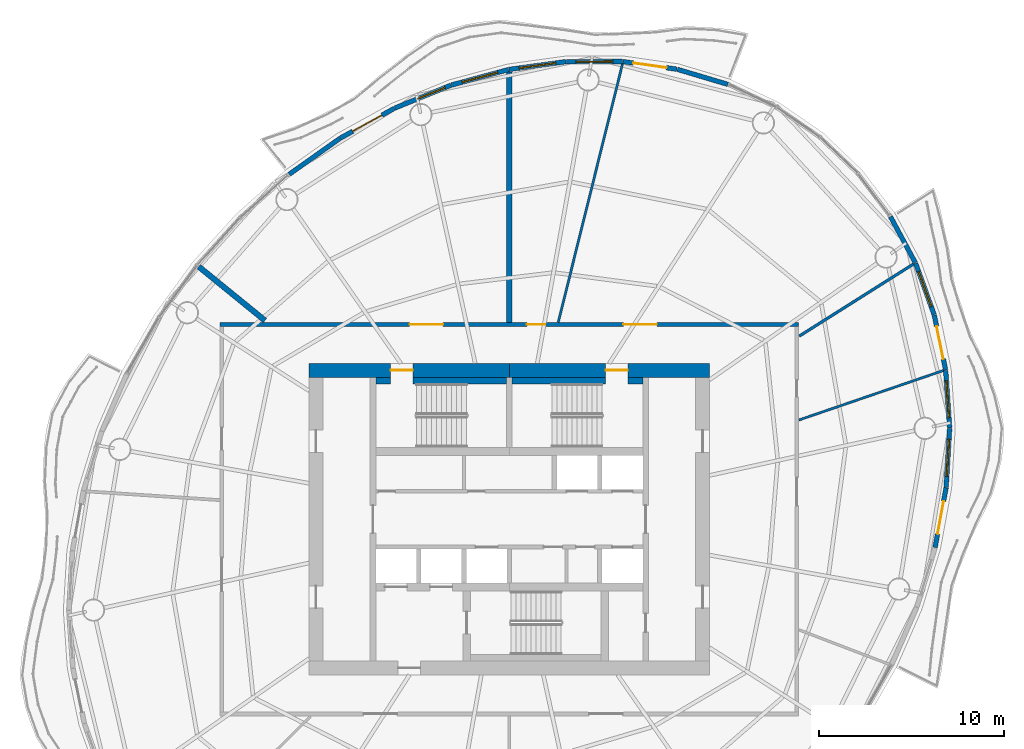
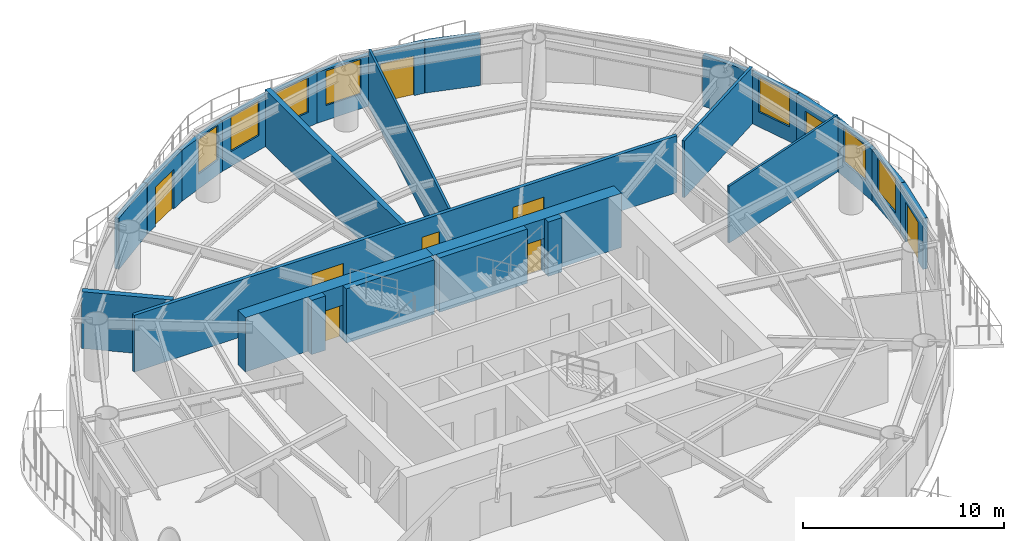
# One storey, part 10 of 14: 26 walls, 9 doors, 7 windows, 16 openings.
"""IFC4 building model written with IfcOpenShell, lengths in metres."""

import ifcopenshell
import ifcopenshell.guid

model = None  # the IFC model being written
_history = None  # IfcOwnerHistory: only IFC2X3 demands one
_inside = {}  # id of a spatial element -> (the spatial element, [elements in it])
_under = {}  # id of a project, library or spatial element -> (it, [spatial elements below it])
_declared = {}  # id of a project -> (the project, [libraries it declares])
_typed = {}  # id of a type object -> (the type object, [elements of that type])
_made_of = {}  # id of a material, layer set ... -> (it, [elements and type objects made of it])


def new_model(schema):
    """Start an empty IFC model of exactly this schema.

    Asked for "IFC4X3", IfcOpenShell would pick the latest addendum, in which some entities
    have other attributes; the version numbers below select the first issue.
    IFC2X3 requires an IfcOwnerHistory on every rooted entity: one is made here for all.
    """
    global model, _history
    if schema == "IFC4X3":
        model = ifcopenshell.file(schema_version=(4, 3, 0, 0))
    else:
        model = ifcopenshell.file(schema=schema)
    _inside.clear()
    _under.clear()
    _declared.clear()
    _typed.clear()
    _made_of.clear()
    _history = None
    if model.schema == "IFC2X3":
        org = make("IfcOrganization", Name="unknown")
        user = make(
            "IfcPersonAndOrganization",
            ThePerson=make("IfcPerson", FamilyName="unknown"),
            TheOrganization=org,
        )
        app = make(
            "IfcApplication",
            ApplicationDeveloper=org,
            Version="unknown",
            ApplicationFullName="unknown",
            ApplicationIdentifier="unknown",
        )
        _history = make(
            "IfcOwnerHistory",
            OwningUser=user,
            OwningApplication=app,
            ChangeAction="ADDED",
            CreationDate=0,
        )
    return model


def make(cls, **values):
    """One entity of the class cls with the attributes given. An attribute that is None is left unset."""
    return model.create_entity(
        cls, **{name: value for name, value in values.items() if value is not None}
    )


def rooted(cls, **values):
    """An entity with a GlobalId (a new one), such as an element, a storey or a relation."""
    return make(cls, GlobalId=ifcopenshell.guid.new(), OwnerHistory=_history, **values)


def si_unit(unit_type, name, prefix=None):
    """IfcSIUnit, for example si_unit("LENGTHUNIT", "METRE", prefix="MILLI")."""
    return make("IfcSIUnit", UnitType=unit_type, Prefix=prefix, Name=name)


def assignment(units):
    """IfcUnitAssignment: the units of a project."""
    return None if units is None else make("IfcUnitAssignment", Units=units)


def point(xyz):
    """IfcCartesianPoint."""
    return None if xyz is None else make("IfcCartesianPoint", Coordinates=xyz)


def direction(xyz):
    """IfcDirection."""
    return None if xyz is None else make("IfcDirection", DirectionRatios=xyz)


def frame(location, z_axis=None, x_axis=None):
    """IfcAxis2Placement3D, a coordinate frame: its origin and axes. An axis left out is left unset."""
    return make(
        "IfcAxis2Placement3D",
        Location=point(location),
        Axis=direction(z_axis),
        RefDirection=direction(x_axis),
    )


def frame_2d(location, x_axis=None):
    """IfcAxis2Placement2D, a coordinate frame in the plane: its origin and x axis."""
    return make(
        "IfcAxis2Placement2D", Location=point(location), RefDirection=direction(x_axis)
    )


def origin():
    """The frame at (0, 0, 0) with its axes left unset."""
    return frame((0.0, 0.0, 0.0))


def place(relative_to, where):
    """IfcLocalPlacement: puts the frame where relative to a parent placement (None: the world)."""
    return make(
        "IfcLocalPlacement", PlacementRelTo=relative_to, RelativePlacement=where
    )


def context(
    kind, dimensions, precision=None, world=None, true_north=None, identifier=None
):
    """IfcGeometricRepresentationContext, for example the 3D "Model" context."""
    return make(
        "IfcGeometricRepresentationContext",
        ContextIdentifier=identifier,
        ContextType=kind,
        CoordinateSpaceDimension=dimensions,
        Precision=precision,
        WorldCoordinateSystem=world,
        TrueNorth=true_north,
    )


def subcontext(parent, identifier, kind, view, scale=None):
    """IfcGeometricRepresentationSubContext, for example "Body" below "Model"."""
    return make(
        "IfcGeometricRepresentationSubContext",
        ContextIdentifier=identifier,
        ContextType=kind,
        ParentContext=parent,
        TargetScale=scale,
        TargetView=view,
    )


def project(units=None, contexts=None):
    """IfcProject with its units and contexts."""
    return rooted(
        "IfcProject",
        Name="project",
        RepresentationContexts=contexts,
        UnitsInContext=assignment(units),
    )


def spatial(cls, under=None, at=None, **own):
    """A site, building, storey or space (cls), placed at a placement, below another one or the project."""
    s = rooted(cls, ObjectPlacement=at, **own)
    if under is not None:
        _under.setdefault(under.id(), (under, []))[1].append(s)
    return s


def profile(cls, at=None, kind="AREA", **sizes):
    """A parametric profile (cls). Its sizes go by their IFC names, for example OverallWidth=200.0."""
    return make(cls, ProfileType=kind, Position=at, **sizes)


def rectangle(**sizes):
    """IfcRectangleProfileDef."""
    return profile("IfcRectangleProfileDef", **sizes)


def extrude(swept, where, along, depth):
    """IfcExtrudedAreaSolid: the profile swept, set in the frame where, extruded along a direction by depth."""
    return make(
        "IfcExtrudedAreaSolid",
        SweptArea=swept,
        Position=where,
        ExtrudedDirection=direction(along),
        Depth=depth,
    )


def shape(context_of_items, identifier, shape_type, items):
    """IfcShapeRepresentation: the items that make up one representation, for example the "Body"."""
    return make(
        "IfcShapeRepresentation",
        ContextOfItems=context_of_items,
        RepresentationIdentifier=identifier,
        RepresentationType=shape_type,
        Items=items,
    )


def material(Name=None, Category=None):
    """IfcMaterial."""
    return make("IfcMaterial", Name=Name, Category=Category)


def layer(
    of_material, thickness, ventilated=None, Name=None, Category=None, Priority=None
):
    """IfcMaterialLayer: one layer of a wall or slab, of a material (None: an air gap)."""
    return make(
        "IfcMaterialLayer",
        Material=of_material,
        LayerThickness=thickness,
        IsVentilated=ventilated,
        Name=Name,
        Category=Category,
        Priority=Priority,
    )


def layer_set(layers, Name=None):
    """IfcMaterialLayerSet."""
    return make("IfcMaterialLayerSet", MaterialLayers=layers, LayerSetName=Name)


def made_of(thing, what):
    """Note that an element or type object is made of a material, layer set ...; save() writes the relation."""
    if what is not None:
        _made_of.setdefault(what.id(), (what, []))[1].append(thing)
    return thing


def type_object(cls, material=None, **own):
    """A type object (cls), such as IfcWallType, which elements share."""
    return made_of(rooted(cls, **own), material)


def element(
    cls,
    number,
    at=None,
    inside=None,
    cuts=None,
    type_object=None,
    material=None,
    context=None,
    identifier="Body",
    shape_type=None,
    held_by="IfcProductDefinitionShape",
    body=None,
    shapes=None,
    **own,
):
    """One element of the class cls, such as IfcWall. Its Tag is "e" and its number.

    at: its placement. inside: the storey or other place that contains it. cuts: it is an
    opening in that element (IfcRelVoidsElement). A single representation is given by context,
    identifier, shape_type and body (its items); several are given by shapes. held_by: the class
    of the entity that holds the representations. save() writes the other relations.
    """
    e = rooted(cls, Tag="e%d" % number, ObjectPlacement=at, **own)
    if body is not None:
        shapes = [shape(context, identifier, shape_type, body)]
    if shapes is not None:
        e.Representation = make(held_by, Representations=shapes)
    if inside is not None:
        _inside.setdefault(inside.id(), (inside, []))[1].append(e)
    if cuts is not None:
        rooted(
            "IfcRelVoidsElement", RelatingBuildingElement=cuts, RelatedOpeningElement=e
        )
    if type_object is not None:
        _typed.setdefault(type_object.id(), (type_object, []))[1].append(e)
    return made_of(e, material)


def fill(opening, filler):
    """IfcRelFillsElement: the door or window that sits in an opening."""
    return rooted(
        "IfcRelFillsElement",
        RelatingOpeningElement=opening,
        RelatedBuildingElement=filler,
    )


def aggregate(whole, parts):
    """IfcRelAggregates: a whole, such as a stair, and the parts it consists of."""
    return rooted("IfcRelAggregates", RelatingObject=whole, RelatedObjects=parts)


def save(model, path):
    """Write the relations noted so far, then the file.

    IfcRelAggregates (storeys below a building ...), IfcRelContainedInSpatialStructure (elements
    in a storey), IfcRelDefinesByType, IfcRelAssociatesMaterial and IfcRelDeclares: one each for
    every whole, place, type object, material and project.
    """
    for whole, parts in _under.values():
        aggregate(whole, parts)
    for where, things in _inside.values():
        rooted(
            "IfcRelContainedInSpatialStructure",
            RelatedElements=things,
            RelatingStructure=where,
        )
    for kind, things in _typed.values():
        rooted("IfcRelDefinesByType", RelatedObjects=things, RelatingType=kind)
    for what, things in _made_of.values():
        rooted("IfcRelAssociatesMaterial", RelatedObjects=things, RelatingMaterial=what)
    for by, libraries in _declared.values():
        rooted("IfcRelDeclares", RelatingContext=by, RelatedDefinitions=libraries)
    model.write(path)


model = new_model("IFC4")

# Units and contexts
model_context = context("Model", 3, precision=1e-05, world=origin(), true_north=direction((0.0, 1.0)))
body_context = subcontext(model_context, "Body", "Model", "MODEL_VIEW")
ifc_project = project(units=[si_unit("LENGTHUNIT", "METRE"), si_unit("AREAUNIT", "SQUARE_METRE"), si_unit("VOLUMEUNIT", "CUBIC_METRE"), si_unit("PLANEANGLEUNIT", "RADIAN"), si_unit("MASSUNIT", "GRAM", prefix="KILO")], contexts=[model_context])

# Site, building, storey
site_placement = place(None, origin())
site = spatial("IfcSite", under=ifc_project, at=site_placement, CompositionType="ELEMENT")
building_placement = place(site_placement, origin())
building = spatial("IfcBuilding", under=site, at=building_placement, Name="Vermilion Reach Broadcast Tower", CompositionType="ELEMENT")
storey_placement = place(building_placement, frame((0.0, 0.0, 235.300048828125)))
storey = spatial("IfcBuildingStorey", under=building, at=storey_placement, Name="L58", CompositionType="ELEMENT", Elevation=235.300048828125)

# Wall, opening, door
ifc_material_1 = material(Name="Concrete C60", Category="concrete")
ifc_layer_1 = layer(ifc_material_1, 0.75)
ifc_layer_set_1 = layer_set([ifc_layer_1], Name="Core outer wall 750 mm Concrete C60")
wall_type_1 = type_object("IfcWallType", Name="Core outer wall 750 mm Concrete C60", PredefinedType="SHEAR", material=ifc_layer_set_1)
wall_1_placement = place(storey_placement, frame((4.800048828125, 8.02490234375, 0.0), z_axis=(0.0, 0.0, 1.0), x_axis=(-1.0, 0.0, 0.0)))
wall_1 = element("IfcWall", 1, at=wall_1_placement, inside=storey, type_object=wall_type_1, Name="L58 core wall onE", PredefinedType="SHEAR", context=body_context, shape_type="SweptSolid", body=[
    extrude(rectangle(XDim=10.800048828125, YDim=0.75, at=frame_2d((5.39990234375, 0.0))), origin(), (0.0, 0.0, 1.0), 3.300048828125),
])
opening_1_placement = place(wall_1_placement, frame((4.39990234375, 0.0, 0.0)))
opening_1 = element("IfcOpeningElement", 2, at=opening_1_placement, cuts=wall_1, Name="Opening D01", PredefinedType="OPENING", context=body_context, shape_type="SweptSolid", body=[
    extrude(rectangle(XDim=1.199951171875, YDim=2.10009765625, at=frame_2d((0.60009765625, 1.050048828125))), frame((0.0, 0.385009765625, 0.0), z_axis=(0.0, -1.0, 0.0), x_axis=(1.0, 0.0, 0.0)), (0.0, 0.0, 1.0), 0.77001953125),
])
ifc_material_2 = material(Name="Painted steel fire door", Category="steel")
door_type_1 = type_object("IfcDoorType", Name="Stair door 1200 x 2100", OperationType="DOUBLE_DOOR_SINGLE_SWING", PredefinedType="NOTDEFINED", material=ifc_material_2)
door_1_placement = place(opening_1_placement, origin())
door_1 = element("IfcDoor", 3, at=door_1_placement, inside=storey, type_object=door_type_1, Name="L58 stair door ST2", OperationType="DOUBLE_DOOR_SINGLE_SWING", OverallHeight=2.10009765625, OverallWidth=1.199951171875, PredefinedType="NOTDEFINED", context=body_context, shape_type="SweptSolid", body=[
    extrude(rectangle(XDim=1.199951171875, YDim=2.10009765625, at=frame_2d((0.60009765625, 1.050048828125))), frame((0.0, 0.02490234375, 0.0), z_axis=(0.0, -1.0, 0.0), x_axis=(1.0, 0.0, 0.0)), (0.0, 0.0, 1.0), 0.050048828125),
])
fill(opening_1, door_1)

wall_2_placement = place(storey_placement, frame((-6.0, 8.02490234375, 0.0), z_axis=(0.0, 0.0, 1.0), x_axis=(-1.0, 0.0, 0.0)))
wall_2 = element("IfcWall", 4, at=wall_2_placement, inside=storey, type_object=wall_type_1, Name="L58 core wall onW", PredefinedType="SHEAR", context=body_context, shape_type="SweptSolid", body=[
    extrude(rectangle(XDim=10.800048828125, YDim=0.75, at=frame_2d((5.39990234375, 0.0))), origin(), (0.0, 0.0, 1.0), 3.300048828125),
])
opening_2_placement = place(wall_2_placement, frame((5.199951171875, 0.0, 0.0)))
opening_2 = element("IfcOpeningElement", 5, at=opening_2_placement, cuts=wall_2, Name="Opening D01", PredefinedType="OPENING", context=body_context, shape_type="SweptSolid", body=[
    extrude(rectangle(XDim=1.199951171875, YDim=2.10009765625, at=frame_2d((0.60009765625, 1.050048828125))), frame((0.0, 0.385009765625, 0.0), z_axis=(0.0, -1.0, 0.0), x_axis=(1.0, 0.0, 0.0)), (0.0, 0.0, 1.0), 0.77001953125),
])
door_2_placement = place(opening_2_placement, origin())
door_2 = element("IfcDoor", 6, at=door_2_placement, inside=storey, type_object=door_type_1, Name="L58 stair door ST1", OperationType="DOUBLE_DOOR_SINGLE_SWING", OverallHeight=2.10009765625, OverallWidth=1.199951171875, PredefinedType="NOTDEFINED", context=body_context, shape_type="SweptSolid", body=[
    extrude(rectangle(XDim=1.199951171875, YDim=2.10009765625, at=frame_2d((0.60009765625, 1.050048828125))), frame((0.0, 0.02490234375, 0.0), z_axis=(0.0, -1.0, 0.0), x_axis=(1.0, 0.0, 0.0)), (0.0, 0.0, 1.0), 0.050048828125),
])
fill(opening_2, door_2)

# Walls
ifc_material_3 = material(Name="Concrete C60", Category="concrete")
ifc_layer_2 = layer(ifc_material_3, 0.35009765625)
ifc_layer_set_2 = layer_set([ifc_layer_2], Name="Core stair wall 350 mm Concrete C60")
wall_type_2 = type_object("IfcWallType", Name="Core stair wall 350 mm Concrete C60", PredefinedType="SHEAR", material=ifc_layer_set_2)
wall_3_placement = place(storey_placement, frame((-13.199951171875, 7.47509765625, 0.0), z_axis=(0.0, 0.0, 1.0), x_axis=(1.0, 0.0, 0.0)))
element("IfcWall", 7, at=wall_3_placement, inside=storey, type_object=wall_type_2, Name="L58 core wall l1a", PredefinedType="SHEAR", context=body_context, shape_type="SweptSolid", body=[
    extrude(rectangle(XDim=0.800048828125, YDim=0.35009765625, at=frame_2d((0.39990234375, 0.0))), origin(), (0.0, 0.0, 1.0), 3.300048828125),
])
for number, where, z_axis, x_axis, name in (
    (8, (-11.199951171875, 7.47509765625, 0.0), (0.0, 0.0, 1.0), (1.0, 0.0, 0.0), "L58 core wall l1b"),
    (9, (-5.85009765625, 7.47509765625, 0.0), (0.0, 0.0, 1.0), (1.0, 0.0, 0.0), "L58 core wall l2a"),
):
    element("IfcWall", number, at=place(storey_placement, frame(where, z_axis=z_axis, x_axis=x_axis)), inside=storey, type_object=wall_type_2, Name=name, PredefinedType="SHEAR", context=body_context, shape_type="SweptSolid", body=[
        extrude(rectangle(XDim=5.050048828125, YDim=0.35009765625, at=frame_2d((2.52490234375, 0.0))), origin(), (0.0, 0.0, 1.0), 3.300048828125),
    ])
wall_4_placement = place(storey_placement, frame((0.39990234375, 7.47509765625, 0.0), z_axis=(0.0, 0.0, 1.0), x_axis=(1.0, 0.0, 0.0)))
element("IfcWall", 10, at=wall_4_placement, inside=storey, type_object=wall_type_2, Name="L58 core wall l2b", PredefinedType="SHEAR", context=body_context, shape_type="SweptSolid", body=[
    extrude(rectangle(XDim=0.800048828125, YDim=0.35009765625, at=frame_2d((0.39990234375, 0.0))), origin(), (0.0, 0.0, 1.0), 3.300048828125),
])

# Wall, openings, doors
ifc_material_4 = material(Name="Fire-rated gypsum board partition")
ifc_layer_3 = layer(ifc_material_4, 0.199951171875)
ifc_layer_set_3 = layer_set([ifc_layer_3], Name="Corridor wall 200 fire-rated")
wall_type_3 = type_object("IfcWallType", Name="Corridor wall 200 fire-rated", PredefinedType="PARTITIONING", material=ifc_layer_set_3)
wall_5_placement = place(storey_placement, frame((-21.60009765625, 10.5, 0.0), z_axis=(0.0, 0.0, 1.0), x_axis=(1.0, 0.0, 0.0)))
wall_5 = element("IfcWall", 11, at=wall_5_placement, inside=storey, type_object=wall_type_3, Name="Corridor wall 58.N", PredefinedType="PARTITIONING", context=body_context, shape_type="SweptSolid", body=[
    extrude(rectangle(XDim=31.2001953125, YDim=0.199951171875, at=frame_2d((15.60009765625, 0.0))), origin(), (0.0, 0.0, 1.0), 3.449951171875),
])
opening_3_placement = place(wall_5_placement, frame((16.54443359375, 0.0, 0.0)))
opening_3 = element("IfcOpeningElement", 12, at=opening_3_placement, cuts=wall_5, Name="Opening D23", PredefinedType="OPENING", context=body_context, shape_type="SweptSolid", body=[
    extrude(rectangle(XDim=1.0, YDim=2.39990234375, at=frame_2d((0.5, 1.199951171875))), frame((0.0, 0.10986328125, 0.0), z_axis=(0.0, -1.0, 0.0), x_axis=(1.0, 0.0, 0.0)), (0.0, 0.0, 1.0), 0.219970703125),
])
opening_4_placement = place(wall_5_placement, frame((10.22802734375, 0.0, 0.0)))
opening_4 = element("IfcOpeningElement", 13, at=opening_4_placement, cuts=wall_5, Name="Opening D27", PredefinedType="OPENING", context=body_context, shape_type="SweptSolid", body=[
    extrude(rectangle(XDim=1.800048828125, YDim=2.39990234375, at=frame_2d((0.89990234375, 1.199951171875))), frame((0.0, 0.10986328125, 0.0), z_axis=(0.0, -1.0, 0.0), x_axis=(1.0, 0.0, 0.0)), (0.0, 0.0, 1.0), 0.219970703125),
])
opening_5_placement = place(wall_5_placement, frame((21.75537109375, 0.0, 0.0)))
opening_5 = element("IfcOpeningElement", 14, at=opening_5_placement, cuts=wall_5, Name="Opening D27", PredefinedType="OPENING", context=body_context, shape_type="SweptSolid", body=[
    extrude(rectangle(XDim=1.800048828125, YDim=2.39990234375, at=frame_2d((0.89990234375, 1.199951171875))), frame((0.0, 0.10986328125, 0.0), z_axis=(0.0, -1.0, 0.0), x_axis=(1.0, 0.0, 0.0)), (0.0, 0.0, 1.0), 0.219970703125),
])
ifc_material_5 = material(Name="Acoustic timber door leaf", Category="wood")
door_type_2 = type_object("IfcDoorType", Name="Door pair 1800x2400", OperationType="NOTDEFINED", PredefinedType="DOOR", material=ifc_material_5)
door_3_placement = place(opening_4_placement, origin())
door_3 = element("IfcDoor", 15, at=door_3_placement, inside=storey, type_object=door_type_2, Name="Door 58.02", OperationType="DOUBLE_DOOR_SINGLE_SWING", OverallHeight=2.39990234375, OverallWidth=1.800048828125, PredefinedType="DOOR", context=body_context, shape_type="SweptSolid", body=[
    extrude(rectangle(XDim=1.800048828125, YDim=2.39990234375, at=frame_2d((0.89990234375, 1.199951171875))), frame((0.0, 0.02490234375, 0.0), z_axis=(0.0, -1.0, 0.0), x_axis=(1.0, 0.0, 0.0)), (0.0, 0.0, 1.0), 0.050048828125),
])
fill(opening_4, door_3)
door_4_placement = place(opening_5_placement, origin())
door_4 = element("IfcDoor", 16, at=door_4_placement, inside=storey, type_object=door_type_2, Name="Door 58.09", OperationType="DOUBLE_DOOR_SINGLE_SWING", OverallHeight=2.39990234375, OverallWidth=1.800048828125, PredefinedType="DOOR", context=body_context, shape_type="SweptSolid", body=[
    extrude(rectangle(XDim=1.800048828125, YDim=2.39990234375, at=frame_2d((0.89990234375, 1.199951171875))), frame((0.0, 0.02490234375, 0.0), z_axis=(0.0, -1.0, 0.0), x_axis=(1.0, 0.0, 0.0)), (0.0, 0.0, 1.0), 0.050048828125),
])
fill(opening_5, door_4)
ifc_material_6 = material(Name="Veneered timber door leaf", Category="wood")
door_type_3 = type_object("IfcDoorType", Name="Door single 1000x2400", OperationType="NOTDEFINED", PredefinedType="DOOR", material=ifc_material_6)
door_5_placement = place(opening_3_placement, origin())
door_5 = element("IfcDoor", 17, at=door_5_placement, inside=storey, type_object=door_type_3, Name="Door 58.01", OperationType="SINGLE_SWING_RIGHT", OverallHeight=2.39990234375, OverallWidth=1.0, PredefinedType="DOOR", context=body_context, shape_type="SweptSolid", body=[
    extrude(rectangle(XDim=1.0, YDim=2.39990234375, at=frame_2d((0.5, 1.199951171875))), frame((0.0, 0.02490234375, 0.0), z_axis=(0.0, -1.0, 0.0), x_axis=(1.0, 0.0, 0.0)), (0.0, 0.0, 1.0), 0.050048828125),
])
fill(opening_3, door_5)

# Walls
ifc_material_7 = material(Name="Fire-rated plasterboard on steel stud", Category="steel")
ifc_layer_4 = layer(ifc_material_7, 0.125)
ifc_layer_set_4 = layer_set([ifc_layer_4], Name="Partition 125 fire-rated stud")
wall_type_4 = type_object("IfcWallType", Name="Partition 125 fire-rated stud", PredefinedType="PARTITIONING", material=ifc_layer_set_4)
wall_6_placement = place(storey_placement, frame((0.10693359375, 24.556640625, 0.0), z_axis=(0.0, 0.0, 1.0), x_axis=(-0.241331862986, -0.970442647408, 0.0)))
element("IfcWall", 18, at=wall_6_placement, inside=storey, type_object=wall_type_4, Name="Partition 58.01", PredefinedType="PARTITIONING", context=body_context, shape_type="SweptSolid", body=[
    extrude(rectangle(XDim=14.3662109375, YDim=0.125, at=frame_2d((7.18310546875, 0.0))), origin(), (0.0, 0.0, 1.0), 3.449951171875),
])
wall_7_placement = place(storey_placement, frame((17.409912109375, 8.017822265625, 0.0), z_axis=(0.0, 0.0, 1.0), x_axis=(-0.94604778294, -0.32402714762, 0.0)))
element("IfcWall", 19, at=wall_7_placement, inside=storey, type_object=wall_type_4, Name="Partition 58.08", PredefinedType="PARTITIONING", context=body_context, shape_type="SweptSolid", body=[
    extrude(rectangle(XDim=8.23388671875, YDim=0.125, at=frame_2d((4.116943359375, 0.0))), origin(), (0.0, 0.0, 1.0), 3.449951171875),
])
ifc_material_8 = material(Name="Lightweight concrete block, plastered", Category="concrete")
ifc_layer_5 = layer(ifc_material_8, 0.14990234375)
ifc_layer_set_5 = layer_set([ifc_layer_5], Name="Partition 150 lightweight block")
wall_type_5 = type_object("IfcWallType", Name="Partition 150 lightweight block", PredefinedType="PARTITIONING", material=ifc_layer_set_5)
wall_8_placement = place(storey_placement, frame((15.795166015625, 13.75927734375, 0.0), z_axis=(0.0, 0.0, 1.0), x_axis=(-0.845590904019, -0.533831455649, 0.0)))
element("IfcWall", 20, at=wall_8_placement, inside=storey, type_object=wall_type_5, Name="Partition 58.09", PredefinedType="PARTITIONING", context=body_context, shape_type="SweptSolid", body=[
    extrude(rectangle(XDim=7.279052734375, YDim=0.14990234375, at=frame_2d((3.6396484375, 0.0))), origin(), (0.0, 0.0, 1.0), 3.449951171875),
])
ifc_material_9 = material(Name="Double-leaf plasterboard on isolated steel stud", Category="steel")
ifc_layer_6 = layer(ifc_material_9, 0.300048828125)
ifc_layer_set_6 = layer_set([ifc_layer_6], Name="Partition 300 acoustic double leaf")
wall_type_6 = type_object("IfcWallType", Name="Partition 300 acoustic double leaf", PredefinedType="PARTITIONING", material=ifc_layer_set_6)
wall_9_placement = place(storey_placement, frame((-6.006103515625, 24.12890625, 0.0), z_axis=(0.0, 0.0, 1.0), x_axis=(0.000252643728, -0.999999968086, 0.0)))
element("IfcWall", 21, at=wall_9_placement, inside=storey, type_object=wall_type_6, Name="Partition 58.02", PredefinedType="PARTITIONING", context=body_context, shape_type="SweptSolid", body=[
    extrude(rectangle(XDim=13.52880859375, YDim=0.300048828125, at=frame_2d((6.764404296875, 0.0))), origin(), (0.0, 0.0, 1.0), 3.449951171875),
])
wall_10_placement = place(storey_placement, frame((-22.73974609375, 13.61376953125, 0.0), z_axis=(0.0, 0.0, 1.0), x_axis=(0.775822828674, -0.63095082099, 0.0)))
element("IfcWall", 22, at=wall_10_placement, inside=storey, type_object=wall_type_6, Name="Partition 58.03", PredefinedType="PARTITIONING", context=body_context, shape_type="SweptSolid", body=[
    extrude(rectangle(XDim=4.59228515625, YDim=0.300048828125, at=frame_2d((2.296142578125, 0.0))), origin(), (0.0, 0.0, 1.0), 3.449951171875),
])
ifc_material_10 = material(Name="Terracotta rainscreen cladding", Category="masonry")
ifc_layer_7 = layer(ifc_material_10, 0.25)
ifc_layer_set_7 = layer_set([ifc_layer_7], Name="Terracotta rainscreen wall 250")
wall_type_7 = type_object("IfcWallType", Name="Terracotta rainscreen wall 250", PredefinedType="SOLIDWALL", material=ifc_layer_set_7)
wall_11_placement = place(storey_placement, frame((5.78515625, 23.44921875, 0.0), z_axis=(0.0, 0.0, 1.0), x_axis=(-0.958235211518, 0.28598125709, 0.0)))
element("IfcWall", 23, at=wall_11_placement, inside=storey, type_object=wall_type_7, Name="External wall L58 02", PredefinedType="SOLIDWALL", context=body_context, shape_type="SweptSolid", body=[
    extrude(rectangle(XDim=2.8359375, YDim=0.25, at=frame_2d((1.41796875, 0.0))), origin(), (0.0, 0.0, 1.0), 3.099853515625),
])

# Wall, opening, door
wall_12_placement = place(storey_placement, frame((3.041748046875, 24.26611328125, 0.0), z_axis=(0.0, 0.0, 1.0), x_axis=(-0.990073564397, 0.140550123028, 0.0)))
wall_12 = element("IfcWall", 24, at=wall_12_placement, inside=storey, type_object=wall_type_7, Name="External wall L58 03", PredefinedType="SOLIDWALL", context=body_context, shape_type="SweptSolid", body=[
    extrude(rectangle(XDim=2.942626953125, YDim=0.25, at=frame_2d((1.47119140625, 0.0))), origin(), (0.0, 0.0, 1.0), 3.099853515625),
])
opening_6_placement = place(wall_12_placement, frame((0.571044921875, 0.0, 0.0)))
opening_6 = element("IfcOpeningElement", 25, at=opening_6_placement, cuts=wall_12, Name="Opening D70", PredefinedType="OPENING", context=body_context, shape_type="SweptSolid", body=[
    extrude(rectangle(XDim=1.800048828125, YDim=2.39990234375, at=frame_2d((0.89990234375, 1.199951171875))), frame((0.0, 0.135009765625, 0.0), z_axis=(0.0, -1.0, 0.0), x_axis=(1.0, 0.0, 0.0)), (0.0, 0.0, 1.0), 0.27001953125),
])
ifc_material_11 = material(Name="Low-e laminated clear glass in aluminium frame", Category="aluminium")
door_type_4 = type_object("IfcDoorType", Name="Balcony sliding door 1800 x 2400", OperationType="DOUBLE_DOOR_SLIDING", PredefinedType="DOOR", material=ifc_material_11)
door_6_placement = place(opening_6_placement, origin())
door_6 = element("IfcDoor", 26, at=door_6_placement, inside=storey, type_object=door_type_4, Name="Balcony door L58 run 01", OperationType="DOUBLE_DOOR_SLIDING", OverallHeight=2.39990234375, OverallWidth=1.800048828125, PredefinedType="DOOR", context=body_context, shape_type="SweptSolid", body=[
    extrude(rectangle(XDim=1.800048828125, YDim=2.39990234375, at=frame_2d((0.89990234375, 1.199951171875))), frame((0.0, 0.02490234375, 0.0), z_axis=(0.0, -1.0, 0.0), x_axis=(1.0, 0.0, 0.0)), (0.0, 0.0, 1.0), 0.050048828125),
])
fill(opening_6, door_6)

# Wall, opening, window
wall_13_placement = place(storey_placement, frame((0.1025390625, 24.681396484375, 0.0), z_axis=(0.0, 0.0, 1.0), x_axis=(-0.999999163763, -0.001293241725, 0.0)))
wall_13 = element("IfcWall", 27, at=wall_13_placement, inside=storey, type_object=wall_type_7, Name="External wall L58 04", PredefinedType="SOLIDWALL", context=body_context, shape_type="SweptSolid", body=[
    extrude(rectangle(XDim=3.0205078125, YDim=0.25, at=frame_2d((1.51025390625, 0.0))), origin(), (0.0, 0.0, 1.0), 3.099853515625),
])
opening_7_placement = place(wall_13_placement, frame((0.51025390625, 0.0, 0.89990234375)))
opening_7 = element("IfcOpeningElement", 28, at=opening_7_placement, cuts=wall_13, Name="Opening W03", PredefinedType="OPENING", context=body_context, shape_type="SweptSolid", body=[
    extrude(rectangle(XDim=2.0, YDim=2.10009765625, at=frame_2d((1.0, 1.050048828125))), frame((0.0, 0.135009765625, 0.0), z_axis=(0.0, -1.0, 0.0), x_axis=(1.0, 0.0, 0.0)), (0.0, 0.0, 1.0), 0.27001953125),
])
ifc_material_12 = material(Name="Low-e laminated clear glass in aluminium frame", Category="aluminium")
window_type_1 = type_object("IfcWindowType", Name="Punched window 2000 x 2100 sill 900", PartitioningType="SINGLE_PANEL", PredefinedType="WINDOW", material=ifc_material_12)
window_1_placement = place(opening_7_placement, origin())
window_1 = element("IfcWindow", 29, at=window_1_placement, inside=storey, type_object=window_type_1, Name="Window L58 04", OverallHeight=2.10009765625, OverallWidth=2.0, PartitioningType="SINGLE_PANEL", PredefinedType="WINDOW", context=body_context, shape_type="SweptSolid", body=[
    extrude(rectangle(XDim=2.0, YDim=2.10009765625, at=frame_2d((1.0, 1.050048828125))), frame((0.0, 0.030029296875, 0.0), z_axis=(0.0, -1.0, 0.0), x_axis=(1.0, 0.0, 0.0)), (0.0, 0.0, 1.0), 0.06005859375),
])
fill(opening_7, window_1)

wall_14_placement = place(storey_placement, frame((-2.94287109375, 24.67578125, 0.0), z_axis=(0.0, 0.0, 1.0), x_axis=(-0.990694748904, -0.136102588123, 0.0)))
wall_14 = element("IfcWall", 30, at=wall_14_placement, inside=storey, type_object=wall_type_7, Name="External wall L58 05", PredefinedType="SOLIDWALL", context=body_context, shape_type="SweptSolid", body=[
    extrude(rectangle(XDim=3.10498046875, YDim=0.25, at=frame_2d((1.552490234375, 0.0))), origin(), (0.0, 0.0, 1.0), 3.099853515625),
])
opening_8_placement = place(wall_14_placement, frame((0.552734375, 0.0, 0.89990234375)))
opening_8 = element("IfcOpeningElement", 31, at=opening_8_placement, cuts=wall_14, Name="Opening W03", PredefinedType="OPENING", context=body_context, shape_type="SweptSolid", body=[
    extrude(rectangle(XDim=2.0, YDim=2.10009765625, at=frame_2d((1.0, 1.050048828125))), frame((0.0, 0.135009765625, 0.0), z_axis=(0.0, -1.0, 0.0), x_axis=(1.0, 0.0, 0.0)), (0.0, 0.0, 1.0), 0.27001953125),
])
window_2_placement = place(opening_8_placement, origin())
window_2 = element("IfcWindow", 32, at=window_2_placement, inside=storey, type_object=window_type_1, Name="Window L58 05", OverallHeight=2.10009765625, OverallWidth=2.0, PartitioningType="SINGLE_PANEL", PredefinedType="WINDOW", context=body_context, shape_type="SweptSolid", body=[
    extrude(rectangle(XDim=2.0, YDim=2.10009765625, at=frame_2d((1.0, 1.050048828125))), frame((0.0, 0.030029296875, 0.0), z_axis=(0.0, -1.0, 0.0), x_axis=(1.0, 0.0, 0.0)), (0.0, 0.0, 1.0), 0.06005859375),
])
fill(opening_8, window_2)

wall_15_placement = place(storey_placement, frame((-6.042724609375, 24.248291015625, 0.0), z_axis=(0.0, 0.0, 1.0), x_axis=(-0.965105590166, -0.261861031522, 0.0)))
wall_15 = element("IfcWall", 33, at=wall_15_placement, inside=storey, type_object=wall_type_7, Name="External wall L58 06", PredefinedType="SOLIDWALL", context=body_context, shape_type="SweptSolid", body=[
    extrude(rectangle(XDim=3.1904296875, YDim=0.25, at=frame_2d((1.59521484375, 0.0))), origin(), (0.0, 0.0, 1.0), 3.099853515625),
])
opening_9_placement = place(wall_15_placement, frame((0.59521484375, 0.0, 0.89990234375)))
opening_9 = element("IfcOpeningElement", 34, at=opening_9_placement, cuts=wall_15, Name="Opening W03", PredefinedType="OPENING", context=body_context, shape_type="SweptSolid", body=[
    extrude(rectangle(XDim=2.0, YDim=2.10009765625, at=frame_2d((1.0, 1.050048828125))), frame((0.0, 0.135009765625, 0.0), z_axis=(0.0, -1.0, 0.0), x_axis=(1.0, 0.0, 0.0)), (0.0, 0.0, 1.0), 0.27001953125),
])
window_3_placement = place(opening_9_placement, origin())
window_3 = element("IfcWindow", 35, at=window_3_placement, inside=storey, type_object=window_type_1, Name="Window L58 06", OverallHeight=2.10009765625, OverallWidth=2.0, PartitioningType="SINGLE_PANEL", PredefinedType="WINDOW", context=body_context, shape_type="SweptSolid", body=[
    extrude(rectangle(XDim=2.0, YDim=2.10009765625, at=frame_2d((1.0, 1.050048828125))), frame((0.0, 0.030029296875, 0.0), z_axis=(0.0, -1.0, 0.0), x_axis=(1.0, 0.0, 0.0)), (0.0, 0.0, 1.0), 0.06005859375),
])
fill(opening_9, window_3)

wall_16_placement = place(storey_placement, frame((-9.143798828125, 23.405517578125, 0.0), z_axis=(0.0, 0.0, 1.0), x_axis=(-0.926011191342, -0.377496057607, 0.0)))
wall_16 = element("IfcWall", 36, at=wall_16_placement, inside=storey, type_object=wall_type_7, Name="External wall L58 07", PredefinedType="SOLIDWALL", context=body_context, shape_type="SweptSolid", body=[
    extrude(rectangle(XDim=3.2705078125, YDim=0.25, at=frame_2d((1.63525390625, 0.0))), origin(), (0.0, 0.0, 1.0), 3.099853515625),
])
opening_10_placement = place(wall_16_placement, frame((0.3349609375, 0.0, 0.89990234375)))
opening_10 = element("IfcOpeningElement", 37, at=opening_10_placement, cuts=wall_16, Name="Opening W04", PredefinedType="OPENING", context=body_context, shape_type="SweptSolid", body=[
    extrude(rectangle(XDim=1.60009765625, YDim=2.10009765625, at=frame_2d((0.800048828125, 1.050048828125))), frame((0.0, 0.135009765625, 0.0), z_axis=(0.0, -1.0, 0.0), x_axis=(1.0, 0.0, 0.0)), (0.0, 0.0, 1.0), 0.27001953125),
])
ifc_material_13 = material(Name="Low-e laminated clear glass in aluminium frame", Category="aluminium")
window_type_2 = type_object("IfcWindowType", Name="Punched window 1600 x 2100 sill 900", PartitioningType="SINGLE_PANEL", PredefinedType="WINDOW", material=ifc_material_13)
window_4_placement = place(opening_10_placement, origin())
window_4 = element("IfcWindow", 38, at=window_4_placement, inside=storey, type_object=window_type_2, Name="Window L58 07", OverallHeight=2.10009765625, OverallWidth=1.60009765625, PartitioningType="SINGLE_PANEL", PredefinedType="WINDOW", context=body_context, shape_type="SweptSolid", body=[
    extrude(rectangle(XDim=1.60009765625, YDim=2.10009765625, at=frame_2d((0.800048828125, 1.050048828125))), frame((0.0, 0.030029296875, 0.0), z_axis=(0.0, -1.0, 0.0), x_axis=(1.0, 0.0, 0.0)), (0.0, 0.0, 1.0), 0.06005859375),
])
fill(opening_10, window_4)

# Wall, opening, door
wall_17_placement = place(storey_placement, frame((-12.19287109375, 22.1611328125, 0.0), z_axis=(0.0, 0.0, 1.0), x_axis=(-0.875645897976, -0.482953684486, 0.0)))
wall_17 = element("IfcWall", 39, at=wall_17_placement, inside=storey, type_object=wall_type_7, Name="External wall L58 08", PredefinedType="SOLIDWALL", context=body_context, shape_type="SweptSolid", body=[
    extrude(rectangle(XDim=3.34033203125, YDim=0.25, at=frame_2d((1.670166015625, 0.0))), origin(), (0.0, 0.0, 1.0), 3.099853515625),
])
opening_11_placement = place(wall_17_placement, frame((0.77001953125, 0.0, 0.0)))
opening_11 = element("IfcOpeningElement", 40, at=opening_11_placement, cuts=wall_17, Name="Opening D70", PredefinedType="OPENING", context=body_context, shape_type="SweptSolid", body=[
    extrude(rectangle(XDim=1.800048828125, YDim=2.39990234375, at=frame_2d((0.89990234375, 1.199951171875))), frame((0.0, 0.135009765625, 0.0), z_axis=(0.0, -1.0, 0.0), x_axis=(1.0, 0.0, 0.0)), (0.0, 0.0, 1.0), 0.27001953125),
])
door_7_placement = place(opening_11_placement, origin())
door_7 = element("IfcDoor", 41, at=door_7_placement, inside=storey, type_object=door_type_4, Name="Balcony door L58 run 02", OperationType="DOUBLE_DOOR_SLIDING", OverallHeight=2.39990234375, OverallWidth=1.800048828125, PredefinedType="DOOR", context=body_context, shape_type="SweptSolid", body=[
    extrude(rectangle(XDim=1.800048828125, YDim=2.39990234375, at=frame_2d((0.89990234375, 1.199951171875))), frame((0.0, 0.02490234375, 0.0), z_axis=(0.0, -1.0, 0.0), x_axis=(1.0, 0.0, 0.0)), (0.0, 0.0, 1.0), 0.050048828125),
])
fill(opening_11, door_7)

# Wall
wall_18_placement = place(storey_placement, frame((-15.13671875, 20.5361328125, 0.0), z_axis=(0.0, 0.0, 1.0), x_axis=(-0.81577537226, -0.578368863282, 0.0)))
element("IfcWall", 42, at=wall_18_placement, inside=storey, type_object=wall_type_7, Name="External wall L58 09", PredefinedType="SOLIDWALL", context=body_context, shape_type="SweptSolid", body=[
    extrude(rectangle(XDim=3.3525390625, YDim=0.25, at=frame_2d((1.67626953125, 0.0))), origin(), (0.0, 0.0, 1.0), 3.099853515625),
])

# Wall, opening, door
wall_19_placement = place(storey_placement, frame((16.963623046875, -1.524169921875, 0.0), z_axis=(0.0, 0.0, 1.0), x_axis=(0.180803315383, 0.983519273399, 0.0)))
wall_19 = element("IfcWall", 43, at=wall_19_placement, inside=storey, type_object=wall_type_7, Name="External wall L58 40", PredefinedType="SOLIDWALL", context=body_context, shape_type="SweptSolid", body=[
    extrude(rectangle(XDim=3.2705078125, YDim=0.25, at=frame_2d((1.63525390625, 0.0))), origin(), (0.0, 0.0, 1.0), 3.099853515625),
])
opening_12_placement = place(wall_19_placement, frame((0.735107421875, 0.0, 0.0)))
opening_12 = element("IfcOpeningElement", 44, at=opening_12_placement, cuts=wall_19, Name="Opening D70", PredefinedType="OPENING", context=body_context, shape_type="SweptSolid", body=[
    extrude(rectangle(XDim=1.800048828125, YDim=2.39990234375, at=frame_2d((0.89990234375, 1.199951171875))), frame((0.0, 0.135009765625, 0.0), z_axis=(0.0, -1.0, 0.0), x_axis=(1.0, 0.0, 0.0)), (0.0, 0.0, 1.0), 0.27001953125),
])
door_8_placement = place(opening_12_placement, origin())
door_8 = element("IfcDoor", 45, at=door_8_placement, inside=storey, type_object=door_type_4, Name="Balcony door L58 run 10", OperationType="DOUBLE_DOOR_SLIDING", OverallHeight=2.39990234375, OverallWidth=1.800048828125, PredefinedType="DOOR", context=body_context, shape_type="SweptSolid", body=[
    extrude(rectangle(XDim=1.800048828125, YDim=2.39990234375, at=frame_2d((0.89990234375, 1.199951171875))), frame((0.0, 0.02490234375, 0.0), z_axis=(0.0, -1.0, 0.0), x_axis=(1.0, 0.0, 0.0)), (0.0, 0.0, 1.0), 0.050048828125),
])
fill(opening_12, door_8)

# Wall, opening, window
wall_20_placement = place(storey_placement, frame((17.557861328125, 1.715576171875, 0.0), z_axis=(0.0, 0.0, 1.0), x_axis=(0.059610174745, 0.998221732416, 0.0)))
wall_20 = element("IfcWall", 46, at=wall_20_placement, inside=storey, type_object=wall_type_7, Name="External wall L58 41", PredefinedType="SOLIDWALL", context=body_context, shape_type="SweptSolid", body=[
    extrude(rectangle(XDim=3.1904296875, YDim=0.25, at=frame_2d((1.59521484375, 0.0))), origin(), (0.0, 0.0, 1.0), 3.099853515625),
])
opening_13_placement = place(wall_20_placement, frame((0.59521484375, 0.0, 0.89990234375)))
opening_13 = element("IfcOpeningElement", 47, at=opening_13_placement, cuts=wall_20, Name="Opening W03", PredefinedType="OPENING", context=body_context, shape_type="SweptSolid", body=[
    extrude(rectangle(XDim=2.0, YDim=2.10009765625, at=frame_2d((1.0, 1.050048828125))), frame((0.0, 0.135009765625, 0.0), z_axis=(0.0, -1.0, 0.0), x_axis=(1.0, 0.0, 0.0)), (0.0, 0.0, 1.0), 0.27001953125),
])
window_5_placement = place(opening_13_placement, origin())
window_5 = element("IfcWindow", 48, at=window_5_placement, inside=storey, type_object=window_type_1, Name="Window L58 41", OverallHeight=2.10009765625, OverallWidth=2.0, PartitioningType="SINGLE_PANEL", PredefinedType="WINDOW", context=body_context, shape_type="SweptSolid", body=[
    extrude(rectangle(XDim=2.0, YDim=2.10009765625, at=frame_2d((1.0, 1.050048828125))), frame((0.0, 0.030029296875, 0.0), z_axis=(0.0, -1.0, 0.0), x_axis=(1.0, 0.0, 0.0)), (0.0, 0.0, 1.0), 0.06005859375),
])
fill(opening_13, window_5)

wall_21_placement = place(storey_placement, frame((17.747802734375, 4.92431640625, 0.0), z_axis=(0.0, 0.0, 1.0), x_axis=(-0.068637495047, 0.997641666268, 0.0)))
wall_21 = element("IfcWall", 49, at=wall_21_placement, inside=storey, type_object=wall_type_7, Name="External wall L58 42", PredefinedType="SOLIDWALL", context=body_context, shape_type="SweptSolid", body=[
    extrude(rectangle(XDim=3.105224609375, YDim=0.25, at=frame_2d((1.552734375, 0.0))), origin(), (0.0, 0.0, 1.0), 3.099853515625),
])
opening_14_placement = place(wall_21_placement, frame((0.552734375, 0.0, 0.89990234375)))
opening_14 = element("IfcOpeningElement", 50, at=opening_14_placement, cuts=wall_21, Name="Opening W03", PredefinedType="OPENING", context=body_context, shape_type="SweptSolid", body=[
    extrude(rectangle(XDim=2.0, YDim=2.10009765625, at=frame_2d((1.0, 1.050048828125))), frame((0.0, 0.135009765625, 0.0), z_axis=(0.0, -1.0, 0.0), x_axis=(1.0, 0.0, 0.0)), (0.0, 0.0, 1.0), 0.27001953125),
])
window_6_placement = place(opening_14_placement, origin())
window_6 = element("IfcWindow", 51, at=window_6_placement, inside=storey, type_object=window_type_1, Name="Window L58 42", OverallHeight=2.10009765625, OverallWidth=2.0, PartitioningType="SINGLE_PANEL", PredefinedType="WINDOW", context=body_context, shape_type="SweptSolid", body=[
    extrude(rectangle(XDim=2.0, YDim=2.10009765625, at=frame_2d((1.0, 1.050048828125))), frame((0.0, 0.030029296875, 0.0), z_axis=(0.0, -1.0, 0.0), x_axis=(1.0, 0.0, 0.0)), (0.0, 0.0, 1.0), 0.06005859375),
])
fill(opening_14, window_6)

# Wall, opening, door
wall_22_placement = place(storey_placement, frame((17.53125, 8.046875, 0.0), z_axis=(0.0, 0.0, 1.0), x_axis=(-0.202546805283, 0.979272582925, 0.0)))
wall_22 = element("IfcWall", 52, at=wall_22_placement, inside=storey, type_object=wall_type_7, Name="External wall L58 43", PredefinedType="SOLIDWALL", context=body_context, shape_type="SweptSolid", body=[
    extrude(rectangle(XDim=3.0205078125, YDim=0.25, at=frame_2d((1.51025390625, 0.0))), origin(), (0.0, 0.0, 1.0), 3.099853515625),
])
opening_15_placement = place(wall_22_placement, frame((0.610107421875, 0.0, 0.0)))
opening_15 = element("IfcOpeningElement", 53, at=opening_15_placement, cuts=wall_22, Name="Opening D70", PredefinedType="OPENING", context=body_context, shape_type="SweptSolid", body=[
    extrude(rectangle(XDim=1.800048828125, YDim=2.39990234375, at=frame_2d((0.89990234375, 1.199951171875))), frame((0.0, 0.135009765625, 0.0), z_axis=(0.0, -1.0, 0.0), x_axis=(1.0, 0.0, 0.0)), (0.0, 0.0, 1.0), 0.27001953125),
])
door_9_placement = place(opening_15_placement, origin())
door_9 = element("IfcDoor", 54, at=door_9_placement, inside=storey, type_object=door_type_4, Name="Balcony door L58 run 11", OperationType="DOUBLE_DOOR_SLIDING", OverallHeight=2.39990234375, OverallWidth=1.800048828125, PredefinedType="DOOR", context=body_context, shape_type="SweptSolid", body=[
    extrude(rectangle(XDim=1.800048828125, YDim=2.39990234375, at=frame_2d((0.89990234375, 1.199951171875))), frame((0.0, 0.02490234375, 0.0), z_axis=(0.0, -1.0, 0.0), x_axis=(1.0, 0.0, 0.0)), (0.0, 0.0, 1.0), 0.050048828125),
])
fill(opening_15, door_9)

# Wall, opening, window
wall_23_placement = place(storey_placement, frame((16.91259765625, 11.02978515625, 0.0), z_axis=(0.0, 0.0, 1.0), x_axis=(-0.339430375323, 0.940631181871, 0.0)))
wall_23 = element("IfcWall", 55, at=wall_23_placement, inside=storey, type_object=wall_type_7, Name="External wall L58 44", PredefinedType="SOLIDWALL", context=body_context, shape_type="SweptSolid", body=[
    extrude(rectangle(XDim=2.942626953125, YDim=0.25, at=frame_2d((1.47119140625, 0.0))), origin(), (0.0, 0.0, 1.0), 3.099853515625),
])
opening_16_placement = place(wall_23_placement, frame((0.47119140625, 0.0, 0.89990234375)))
opening_16 = element("IfcOpeningElement", 56, at=opening_16_placement, cuts=wall_23, Name="Opening W03", PredefinedType="OPENING", context=body_context, shape_type="SweptSolid", body=[
    extrude(rectangle(XDim=2.0, YDim=2.10009765625, at=frame_2d((1.0, 1.050048828125))), frame((0.0, 0.135009765625, 0.0), z_axis=(0.0, -1.0, 0.0), x_axis=(1.0, 0.0, 0.0)), (0.0, 0.0, 1.0), 0.27001953125),
])
window_7_placement = place(opening_16_placement, origin())
window_7 = element("IfcWindow", 57, at=window_7_placement, inside=storey, type_object=window_type_1, Name="Window L58 44", OverallHeight=2.10009765625, OverallWidth=2.0, PartitioningType="SINGLE_PANEL", PredefinedType="WINDOW", context=body_context, shape_type="SweptSolid", body=[
    extrude(rectangle(XDim=2.0, YDim=2.10009765625, at=frame_2d((1.0, 1.050048828125))), frame((0.0, 0.030029296875, 0.0), z_axis=(0.0, -1.0, 0.0), x_axis=(1.0, 0.0, 0.0)), (0.0, 0.0, 1.0), 0.06005859375),
])
fill(opening_16, window_7)

# Wall
wall_24_placement = place(storey_placement, frame((15.903076171875, 13.822021484375, 0.0), z_axis=(0.0, 0.0, 1.0), x_axis=(-0.475295544149, 0.879826201992, 0.0)))
element("IfcWall", 58, at=wall_24_placement, inside=storey, type_object=wall_type_7, Name="External wall L58 45", PredefinedType="SOLIDWALL", context=body_context, shape_type="SweptSolid", body=[
    extrude(rectangle(XDim=2.8359375, YDim=0.25, at=frame_2d((1.41796875, 0.0))), origin(), (0.0, 0.0, 1.0), 3.099853515625),
])

save(model, "model.ifc")
